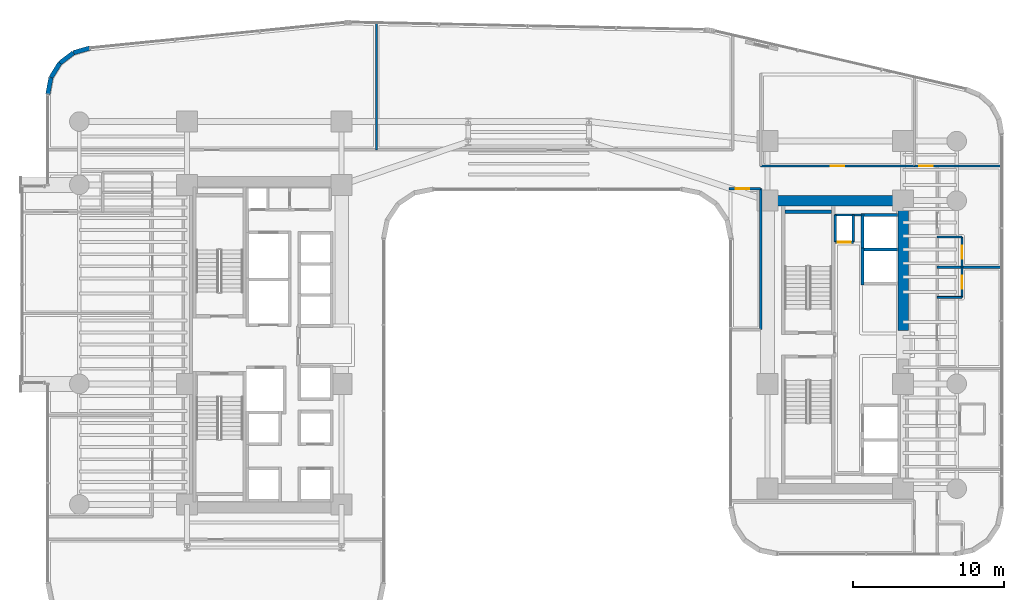
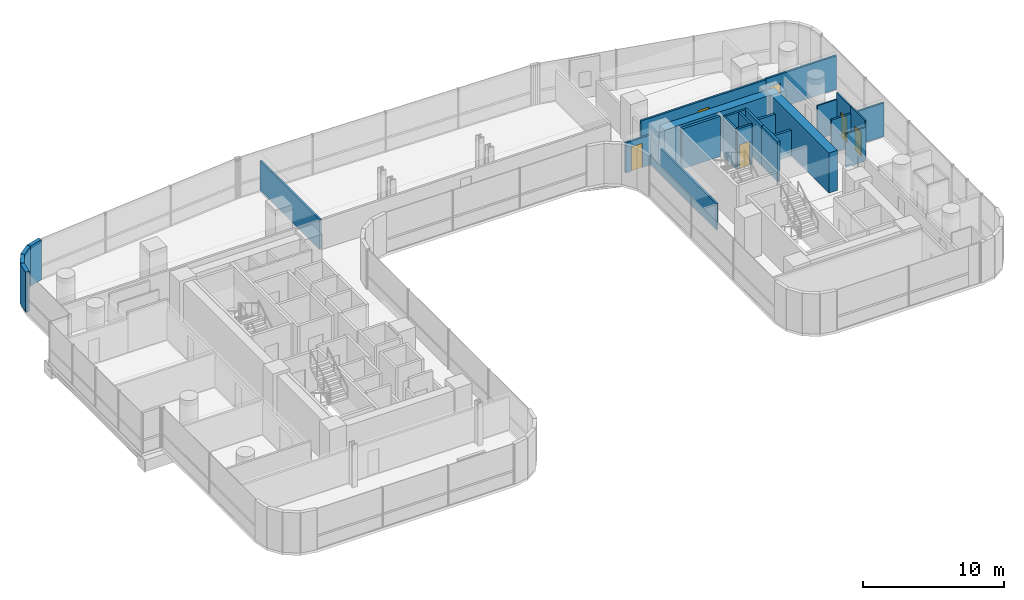
# One storey, part 32 of 39: 25 walls, 6 doors, 6 openings.
"""IFC4 building model written with IfcOpenShell, lengths in metres."""

from ifc_helpers import new_model, si_unit, direction, frame, frame_2d, origin, place, context, subcontext, project, spatial, rectangle, extrude, material, layer, layer_set, type_object, element, fill, save


model = new_model("IFC4")

# Units and contexts
model_context = context("Model", 3, precision=1e-05, world=origin(), true_north=direction((0.0, 1.0)))
body_context = subcontext(model_context, "Body", "Model", "MODEL_VIEW")
ifc_project = project(units=[si_unit("LENGTHUNIT", "METRE"), si_unit("AREAUNIT", "SQUARE_METRE"), si_unit("VOLUMEUNIT", "CUBIC_METRE"), si_unit("PLANEANGLEUNIT", "RADIAN"), si_unit("MASSUNIT", "GRAM", prefix="KILO")], contexts=[model_context])

# Site, building, storey
site_placement = place(None, origin())
site = spatial("IfcSite", under=ifc_project, at=site_placement, CompositionType="ELEMENT")
building_placement = place(site_placement, origin())
building = spatial("IfcBuilding", under=site, at=building_placement, Name="Valdorenza Pilgrim Sanctuary Tower", CompositionType="ELEMENT")
storey_placement = place(building_placement, frame((0.0, 0.0, 74.10009765625)))
storey = spatial("IfcBuildingStorey", under=building, at=storey_placement, Name="L18", CompositionType="ELEMENT", Elevation=74.10009765625)

# Wall, opening, door
ifc_material_1 = material(Name="Acoustic twin-stud gypsum partition", Category="gypsum")
ifc_layer_1 = layer(ifc_material_1, 0.159912109375, Name="Acoustic twin-stud gypsum partition")
ifc_layer_set_1 = layer_set([ifc_layer_1], Name="Acoustic twin-stud gypsum partition")
wall_type_1 = type_object("IfcWallType", Name="WAL-COR-160", PredefinedType="PARTITIONING", material=ifc_layer_set_1)
wall_1_placement = place(storey_placement, frame((20.35009765625, 6.800048828125, 0.0), z_axis=(0.0, 0.0, 1.0), x_axis=(1.0, 0.0, 0.0)))
wall_1 = element("IfcWall", 1, at=wall_1_placement, inside=storey, type_object=wall_type_1, Name="L18 Core B Riser South Wall", PredefinedType="PARTITIONING", context=body_context, shape_type="SweptSolid", body=[
    extrude(rectangle(XDim=1.199951171875, YDim=0.159912109375, at=frame_2d((0.60009765625, 0.0))), origin(), (0.0, 0.0, 1.0), 3.4599609375),
])
opening_1_placement = place(wall_1_placement, frame((0.175048828125, 0.0, 0.0)))
opening_1 = element("IfcOpeningElement", 2, at=opening_1_placement, cuts=wall_1, Name="Opening DR-RS1", PredefinedType="OPENING", context=body_context, shape_type="SweptSolid", body=[
    extrude(rectangle(XDim=0.85009765625, YDim=2.050048828125, at=frame_2d((0.425048828125, 1.02490234375))), frame((0.0, 0.0947265625, 0.0), z_axis=(0.0, -1.0, 0.0), x_axis=(1.0, 0.0, 0.0)), (0.0, 0.0, 1.0), 0.189697265625),
])
ifc_material_2 = material(Name="Painted galvanized steel", Category="steel")
door_type_1 = type_object("IfcDoorType", Name="DR-RSR-850", OperationType="NOTDEFINED", PredefinedType="DOOR", material=ifc_material_2)
door_1_placement = place(opening_1_placement, origin())
door_1 = element("IfcDoor", 3, at=door_1_placement, inside=storey, type_object=door_type_1, Name="L18 Core B Electrical Riser Door", OperationType="SINGLE_SWING_LEFT", OverallHeight=2.050048828125, OverallWidth=0.85009765625, PredefinedType="DOOR", context=body_context, shape_type="SweptSolid", body=[
    extrude(rectangle(XDim=0.85009765625, YDim=2.050048828125, at=frame_2d((0.425048828125, 1.02490234375))), frame((0.0, 0.02490234375, 0.0), z_axis=(0.0, -1.0, 0.0), x_axis=(1.0, 0.0, 0.0)), (0.0, 0.0, 1.0), 0.050048828125),
])
fill(opening_1, door_1)

# Walls
for number, where, z_axis, x_axis, name in (
    (4, (21.550048828125, 6.800048828125, 0.0), (0.0, 0.0, 1.0), (0.0, 1.0, 0.0), "L18 Core B Riser East Wall"),
    (5, (20.35009765625, 6.800048828125, 0.0), (0.0, 0.0, 1.0), (0.0, 1.0, 0.0), "L18 Core B Riser West Wall"),
):
    element("IfcWall", number, at=place(storey_placement, frame(where, z_axis=z_axis, x_axis=x_axis)), inside=storey, type_object=wall_type_1, Name=name, PredefinedType="PARTITIONING", context=body_context, shape_type="SweptSolid", body=[
        extrude(rectangle(XDim=1.800048828125, YDim=0.159912109375, at=frame_2d((0.89990234375, 0.0))), origin(), (0.0, 0.0, 1.0), 3.4599609375),
    ])
wall_2_placement = place(storey_placement, frame((20.300048828125, 8.60009765625, 0.0), z_axis=(0.0, 0.0, 1.0), x_axis=(1.0, 0.0, 0.0)))
element("IfcWall", 6, at=wall_2_placement, inside=storey, type_object=wall_type_1, Name="L18 Core B Lift Hall North End Wall", PredefinedType="PARTITIONING", context=body_context, shape_type="SweptSolid", body=[
    extrude(rectangle(XDim=1.820068359375, YDim=0.159912109375, at=frame_2d((0.91015625, 0.0))), origin(), (0.0, 0.0, 1.0), 3.4599609375),
])

# Wall, opening, door
wall_3_placement = place(storey_placement, frame((15.39990234375, 11.85009765625, 0.0), z_axis=(0.0, 0.0, 1.0), x_axis=(1.0, 0.0, 0.0)))
wall_3 = element("IfcWall", 7, at=wall_3_placement, inside=storey, type_object=wall_type_1, Name="L18 Wing B North Corridor Wall", PredefinedType="PARTITIONING", context=body_context, shape_type="SweptSolid", body=[
    extrude(rectangle(XDim=10.2001953125, YDim=0.159912109375, at=frame_2d((5.10009765625, 0.0))), origin(), (0.0, 0.0, 1.0), 2.833984375),
])
opening_2_placement = place(wall_3_placement, frame((4.64990234375, 0.0, 0.0)))
opening_2 = element("IfcOpeningElement", 8, at=opening_2_placement, cuts=wall_3, Name="Opening DR-RM1", PredefinedType="OPENING", context=body_context, shape_type="SweptSolid", body=[
    extrude(rectangle(XDim=0.89990234375, YDim=2.10009765625, at=frame_2d((0.449951171875, 1.050048828125))), frame((0.0, 0.0947265625, 0.0), z_axis=(0.0, -1.0, 0.0), x_axis=(1.0, 0.0, 0.0)), (0.0, 0.0, 1.0), 0.189697265625),
])
ifc_material_3 = material(Name="Solid-core European oak timber", Category="wood")
door_type_2 = type_object("IfcDoorType", Name="DR-ROOM-900", OperationType="NOTDEFINED", PredefinedType="DOOR", material=ifc_material_3)
door_2_placement = place(opening_2_placement, frame((0.89990234375, 0.0, 0.0), z_axis=(0.0, 0.0, 1.0), x_axis=(-1.0, 0.0, 0.0)))
door_2 = element("IfcDoor", 9, at=door_2_placement, inside=storey, type_object=door_type_2, Name="L18 Curator Research Office L18-BN1 Door", OperationType="SINGLE_SWING_LEFT", OverallHeight=2.10009765625, OverallWidth=0.89990234375, PredefinedType="DOOR", context=body_context, shape_type="SweptSolid", body=[
    extrude(rectangle(XDim=0.89990234375, YDim=2.10009765625, at=frame_2d((0.449951171875, 1.050048828125))), frame((0.0, 0.02490234375, 0.0), z_axis=(0.0, -1.0, 0.0), x_axis=(1.0, 0.0, 0.0)), (0.0, 0.0, 1.0), 0.050048828125),
])
fill(opening_2, door_2)

wall_4_placement = place(storey_placement, frame((25.60009765625, 11.85009765625, 0.0), z_axis=(0.0, 0.0, 1.0), x_axis=(1.0, 0.0, 0.0)))
wall_4 = element("IfcWall", 10, at=wall_4_placement, inside=storey, type_object=wall_type_1, Name="L18 East Wing NE Corner South Wall", PredefinedType="PARTITIONING", context=body_context, shape_type="SweptSolid", body=[
    extrude(rectangle(XDim=5.789794921875, YDim=0.159912109375, at=frame_2d((2.89501953125, 0.0))), origin(), (0.0, 0.0, 1.0), 2.89599609375),
])
opening_3_placement = place(wall_4_placement, frame((0.300048828125, 0.0, 0.0)))
opening_3 = element("IfcOpeningElement", 11, at=opening_3_placement, cuts=wall_4, Name="Opening DR-RM1", PredefinedType="OPENING", context=body_context, shape_type="SweptSolid", body=[
    extrude(rectangle(XDim=0.89990234375, YDim=2.10009765625, at=frame_2d((0.449951171875, 1.050048828125))), frame((0.0, 0.0947265625, 0.0), z_axis=(0.0, -1.0, 0.0), x_axis=(1.0, 0.0, 0.0)), (0.0, 0.0, 1.0), 0.189697265625),
])
door_3_placement = place(opening_3_placement, origin())
door_3 = element("IfcDoor", 12, at=door_3_placement, inside=storey, type_object=door_type_2, Name="L18 East North Alcove Office L18 Door", OperationType="SINGLE_SWING_LEFT", OverallHeight=2.10009765625, OverallWidth=0.89990234375, PredefinedType="DOOR", context=body_context, shape_type="SweptSolid", body=[
    extrude(rectangle(XDim=0.89990234375, YDim=2.10009765625, at=frame_2d((0.449951171875, 1.050048828125))), frame((0.0, 0.02490234375, 0.0), z_axis=(0.0, -1.0, 0.0), x_axis=(1.0, 0.0, 0.0)), (0.0, 0.0, 1.0), 0.050048828125),
])
fill(opening_3, door_3)

wall_5_placement = place(storey_placement, frame((13.300048828125, 10.35009765625, 0.0), z_axis=(0.0, 0.0, 1.0), x_axis=(1.0, 0.0, 0.0)))
wall_5 = element("IfcWall", 13, at=wall_5_placement, inside=storey, type_object=wall_type_1, Name="L18 Courtyard Overlook North Wall", PredefinedType="PARTITIONING", context=body_context, shape_type="SweptSolid", body=[
    extrude(rectangle(XDim=2.099853515625, YDim=0.159912109375, at=frame_2d((1.0498046875, 0.0))), origin(), (0.0, 0.0, 1.0), 2.5830078125),
])
opening_4_placement = place(wall_5_placement, frame((0.449951171875, 0.0, 0.0)))
opening_4 = element("IfcOpeningElement", 14, at=opening_4_placement, cuts=wall_5, Name="Opening DR-RM1", PredefinedType="OPENING", context=body_context, shape_type="SweptSolid", body=[
    extrude(rectangle(XDim=0.89990234375, YDim=2.10009765625, at=frame_2d((0.449951171875, 1.050048828125))), frame((0.0, 0.0947265625, 0.0), z_axis=(0.0, -1.0, 0.0), x_axis=(1.0, 0.0, 0.0)), (0.0, 0.0, 1.0), 0.189697265625),
])
door_4_placement = place(opening_4_placement, origin())
door_4 = element("IfcDoor", 15, at=door_4_placement, inside=storey, type_object=door_type_2, Name="L18 Courtyard Overlook Salon Door", OperationType="SINGLE_SWING_RIGHT", OverallHeight=2.10009765625, OverallWidth=0.89990234375, PredefinedType="DOOR", context=body_context, shape_type="SweptSolid", body=[
    extrude(rectangle(XDim=0.89990234375, YDim=2.10009765625, at=frame_2d((0.449951171875, 1.050048828125))), frame((0.0, 0.02490234375, 0.0), z_axis=(0.0, -1.0, 0.0), x_axis=(1.0, 0.0, 0.0)), (0.0, 0.0, 1.0), 0.050048828125),
])
fill(opening_4, door_4)

# Walls
wall_6_placement = place(storey_placement, frame((15.39990234375, 1.0, 0.0), z_axis=(0.0, 0.0, 1.0), x_axis=(0.0, 1.0, 0.0)))
element("IfcWall", 16, at=wall_6_placement, inside=storey, type_object=wall_type_1, Name="L18 Courtyard Overlook East Wall", PredefinedType="PARTITIONING", context=body_context, shape_type="SweptSolid", body=[
    extrude(rectangle(XDim=9.35009765625, YDim=0.159912109375, at=frame_2d((4.675048828125, 0.0))), origin(), (0.0, 0.0, 1.0), 2.244873046875),
])
ifc_material_4 = material(Name="Concrete C60/75", Category="concrete")
ifc_layer_2 = layer(ifc_material_4, 0.699951171875, Name="Concrete C60/75")
ifc_layer_set_2 = layer_set([ifc_layer_2], Name="Concrete C60/75")
wall_type_2 = type_object("IfcWallType", Name="WAL-COR-700", PredefinedType="SHEAR", material=ifc_layer_set_2)
wall_7_placement = place(storey_placement, frame((24.85009765625, 0.949951171875, 0.0), z_axis=(0.0, 0.0, 1.0), x_axis=(0.0, 1.0, 0.0)))
element("IfcWall", 17, at=wall_7_placement, inside=storey, type_object=wall_type_2, Name="L18 Split Core B Shear Wall EN", PredefinedType="SHEAR", context=body_context, shape_type="SweptSolid", body=[
    extrude(rectangle(XDim=8.949951171875, YDim=0.699951171875, at=frame_2d((4.47509765625, 0.0))), origin(), (0.0, 0.0, 1.0), 3.4599609375),
])
wall_8_placement = place(storey_placement, frame((15.85009765625, 9.550048828125, 0.0), z_axis=(0.0, 0.0, 1.0), x_axis=(1.0, 0.0, 0.0)))
element("IfcWall", 18, at=wall_8_placement, inside=storey, type_object=wall_type_2, Name="L18 Split Core B Shear Wall N", PredefinedType="SHEAR", context=body_context, shape_type="SweptSolid", body=[
    extrude(rectangle(XDim=9.0, YDim=0.699951171875, at=frame_2d((4.5, 0.0))), origin(), (0.0, 0.0, 1.0), 3.4599609375),
])
ifc_material_5 = material(Name="Honed travertine limestone", Category="masonry")
ifc_layer_3 = layer(ifc_material_5, 0.300048828125, Name="Honed travertine limestone")
ifc_layer_set_3 = layer_set([ifc_layer_3], Name="Honed travertine limestone")
wall_type_3 = type_object("IfcWallType", Name="WAL-EXT-300", PredefinedType="SOLIDWALL", material=ifc_layer_set_3)
wall_9_placement = place(storey_placement, frame((-31.889892578125, 16.593994140625, 0.0), z_axis=(0.0, 0.0, 1.0), x_axis=(0.182748995683, 0.9831596028, 0.0)))
element("IfcWall", 19, at=wall_9_placement, inside=storey, type_object=wall_type_3, Name="L18 Rounded Wind-Corner Stone Pier 2", PredefinedType="SOLIDWALL", context=body_context, shape_type="SweptSolid", body=[
    extrude(rectangle(XDim=1.1396484375, YDim=0.300048828125, at=frame_2d((0.56982421875, 0.0))), origin(), (0.0, 0.0, 1.0), 3.4599609375),
])
wall_10_placement = place(storey_placement, frame((-31.681640625, 17.71435546875, 0.0), z_axis=(0.0, 0.0, 1.0), x_axis=(0.524157723014, 0.8516212077, 0.0)))
element("IfcWall", 20, at=wall_10_placement, inside=storey, type_object=wall_type_3, Name="L18 Rounded Wind-Corner Stone Pier 3", PredefinedType="SOLIDWALL", context=body_context, shape_type="SweptSolid", body=[
    extrude(rectangle(XDim=1.12939453125, YDim=0.300048828125, at=frame_2d((0.564697265625, 0.0))), origin(), (0.0, 0.0, 1.0), 3.4599609375),
])
wall_11_placement = place(storey_placement, frame((-31.089599609375, 18.67626953125, 0.0), z_axis=(0.0, 0.0, 1.0), x_axis=(0.795253002434, 0.606277710393, 0.0)))
element("IfcWall", 21, at=wall_11_placement, inside=storey, type_object=wall_type_3, Name="L18 Rounded Wind-Corner Stone Pier 4", PredefinedType="SOLIDWALL", context=body_context, shape_type="SweptSolid", body=[
    extrude(rectangle(XDim=1.129150390625, YDim=0.300048828125, at=frame_2d((0.564453125, 0.0))), origin(), (0.0, 0.0, 1.0), 3.4599609375),
])
wall_12_placement = place(storey_placement, frame((-30.191650390625, 19.36083984375, 0.0), z_axis=(0.0, 0.0, 1.0), x_axis=(0.960071941549, 0.279753225271, 0.0)))
element("IfcWall", 22, at=wall_12_placement, inside=storey, type_object=wall_type_3, Name="L18 Rounded Wind-Corner Stone Pier 5", PredefinedType="SOLIDWALL", context=body_context, shape_type="SweptSolid", body=[
    extrude(rectangle(XDim=1.1396484375, YDim=0.300048828125, at=frame_2d((0.56982421875, 0.0))), origin(), (0.0, 0.0, 1.0), 3.4599609375),
])
ifc_material_6 = material(Name="Moisture-resistant gypsum partition", Category="gypsum")
ifc_layer_4 = layer(ifc_material_6, 0.1201171875, Name="Moisture-resistant gypsum partition")
ifc_layer_set_4 = layer_set([ifc_layer_4], Name="Moisture-resistant gypsum partition")
wall_type_4 = type_object("IfcWallType", Name="WAL-INT-120", PredefinedType="PARTITIONING", material=ifc_layer_set_4)
wall_13_placement = place(storey_placement, frame((27.10009765625, 3.137939453125, 0.0), z_axis=(0.0, 0.0, 1.0), x_axis=(1.0, 0.0, 0.0)))
element("IfcWall", 23, at=wall_13_placement, inside=storey, type_object=wall_type_4, Name="L18 East Sanctuary Guest Room L18-EG3 En-suite South Wall", PredefinedType="PARTITIONING", context=body_context, shape_type="SweptSolid", body=[
    extrude(rectangle(XDim=1.64990234375, YDim=0.1201171875, at=frame_2d((0.824951171875, 0.0))), origin(), (0.0, 0.0, 1.0), 2.89599609375),
])

# Wall, opening, door
wall_14_placement = place(storey_placement, frame((28.75, 3.137939453125, 0.0), z_axis=(0.0, 0.0, 1.0), x_axis=(0.0, 1.0, 0.0)))
wall_14 = element("IfcWall", 24, at=wall_14_placement, inside=storey, type_object=wall_type_4, Name="L18 East Sanctuary Guest Room L18-EG3 En-suite Door Wall", PredefinedType="PARTITIONING", context=body_context, shape_type="SweptSolid", body=[
    extrude(rectangle(XDim=2.0, YDim=0.1201171875, at=frame_2d((1.0, 0.0))), origin(), (0.0, 0.0, 1.0), 3.4599609375),
])
opening_5_placement = place(wall_14_placement, frame((0.574951171875, 0.0, 0.0)))
opening_5 = element("IfcOpeningElement", 25, at=opening_5_placement, cuts=wall_14, Name="Opening DR-WC1", PredefinedType="OPENING", context=body_context, shape_type="SweptSolid", body=[
    extrude(rectangle(XDim=0.85009765625, YDim=2.10009765625, at=frame_2d((0.425048828125, 1.050048828125))), frame((0.0, 0.074951171875, 0.0), z_axis=(0.0, -1.0, 0.0), x_axis=(1.0, 0.0, 0.0)), (0.0, 0.0, 1.0), 0.14990234375),
])
ifc_material_7 = material(Name="Moisture-resistant lacquered timber", Category="wood")
door_type_3 = type_object("IfcDoorType", Name="DR-BATH-850", OperationType="NOTDEFINED", PredefinedType="DOOR", material=ifc_material_7)
door_5_placement = place(opening_5_placement, origin())
door_5 = element("IfcDoor", 26, at=door_5_placement, inside=storey, type_object=door_type_3, Name="L18 East Sanctuary Guest Room L18-EG3 En-suite Bathroom Door", OperationType="SINGLE_SWING_LEFT", OverallHeight=2.10009765625, OverallWidth=0.85009765625, PredefinedType="DOOR", context=body_context, shape_type="SweptSolid", body=[
    extrude(rectangle(XDim=0.85009765625, YDim=2.10009765625, at=frame_2d((0.425048828125, 1.050048828125))), frame((0.0, 0.02490234375, 0.0), z_axis=(0.0, -1.0, 0.0), x_axis=(1.0, 0.0, 0.0)), (0.0, 0.0, 1.0), 0.050048828125),
])
fill(opening_5, door_5)

# Wall
wall_15_placement = place(storey_placement, frame((27.10009765625, 7.137939453125, 0.0), z_axis=(0.0, 0.0, 1.0), x_axis=(1.0, 0.0, 0.0)))
element("IfcWall", 27, at=wall_15_placement, inside=storey, type_object=wall_type_4, Name="L18 East Sanctuary Guest Room L18-EG4 En-suite North Wall", PredefinedType="PARTITIONING", context=body_context, shape_type="SweptSolid", body=[
    extrude(rectangle(XDim=1.64990234375, YDim=0.1201171875, at=frame_2d((0.824951171875, 0.0))), origin(), (0.0, 0.0, 1.0), 2.89599609375),
])

# Wall, opening, door
wall_16_placement = place(storey_placement, frame((28.75, 5.137939453125, 0.0), z_axis=(0.0, 0.0, 1.0), x_axis=(0.0, 1.0, 0.0)))
wall_16 = element("IfcWall", 28, at=wall_16_placement, inside=storey, type_object=wall_type_4, Name="L18 East Sanctuary Guest Room L18-EG4 En-suite Door Wall", PredefinedType="PARTITIONING", context=body_context, shape_type="SweptSolid", body=[
    extrude(rectangle(XDim=2.0, YDim=0.1201171875, at=frame_2d((1.0, 0.0))), origin(), (0.0, 0.0, 1.0), 3.4599609375),
])
opening_6_placement = place(wall_16_placement, frame((0.574951171875, 0.0, 0.0)))
opening_6 = element("IfcOpeningElement", 29, at=opening_6_placement, cuts=wall_16, Name="Opening DR-WC1", PredefinedType="OPENING", context=body_context, shape_type="SweptSolid", body=[
    extrude(rectangle(XDim=0.85009765625, YDim=2.10009765625, at=frame_2d((0.425048828125, 1.050048828125))), frame((0.0, 0.074951171875, 0.0), z_axis=(0.0, -1.0, 0.0), x_axis=(1.0, 0.0, 0.0)), (0.0, 0.0, 1.0), 0.14990234375),
])
door_6_placement = place(opening_6_placement, origin())
door_6 = element("IfcDoor", 30, at=door_6_placement, inside=storey, type_object=door_type_3, Name="L18 East Sanctuary Guest Room L18-EG4 En-suite Bathroom Door", OperationType="SINGLE_SWING_LEFT", OverallHeight=2.10009765625, OverallWidth=0.85009765625, PredefinedType="DOOR", context=body_context, shape_type="SweptSolid", body=[
    extrude(rectangle(XDim=0.85009765625, YDim=2.10009765625, at=frame_2d((0.425048828125, 1.050048828125))), frame((0.0, 0.02490234375, 0.0), z_axis=(0.0, -1.0, 0.0), x_axis=(1.0, 0.0, 0.0)), (0.0, 0.0, 1.0), 0.050048828125),
])
fill(opening_6, door_6)

# Walls
ifc_material_8 = material(Name="Autoclaved aerated concrete blockwork", Category="masonry")
ifc_layer_5 = layer(ifc_material_8, 0.199951171875, Name="Autoclaved aerated concrete blockwork")
ifc_layer_set_5 = layer_set([ifc_layer_5], Name="Autoclaved aerated concrete blockwork")
wall_type_5 = type_object("IfcWallType", Name="WAL-SHF-200", PredefinedType="MOVABLE", material=ifc_layer_set_5)
wall_17_placement = place(storey_placement, frame((22.14990234375, 3.949951171875, 0.0), z_axis=(0.0, 0.0, 1.0), x_axis=(0.0, 1.0, 0.0)))
element("IfcWall", 31, at=wall_17_placement, inside=storey, type_object=wall_type_5, Name="L18 Lift PL-07 Hoistway Wall West", PredefinedType="MOVABLE", context=body_context, shape_type="SweptSolid", body=[
    extrude(rectangle(XDim=2.47509765625, YDim=0.199951171875, at=frame_2d((1.237548828125, 0.0))), origin(), (0.0, 0.0, 1.0), 3.4599609375),
])
wall_18_placement = place(storey_placement, frame((22.25, 6.324951171875, 0.0), z_axis=(0.0, 0.0, 1.0), x_axis=(1.0, 0.0, 0.0)))
element("IfcWall", 32, at=wall_18_placement, inside=storey, type_object=wall_type_5, Name="L18 Lift PL-07 Hoistway Wall North", PredefinedType="MOVABLE", context=body_context, shape_type="SweptSolid", body=[
    extrude(rectangle(XDim=2.22998046875, YDim=0.199951171875, at=frame_2d((1.114990234375, 0.0))), origin(), (0.0, 0.0, 1.0), 2.244873046875),
])
wall_19_placement = place(storey_placement, frame((22.14990234375, 6.22509765625, 0.0), z_axis=(0.0, 0.0, 1.0), x_axis=(0.0, 1.0, 0.0)))
element("IfcWall", 33, at=wall_19_placement, inside=storey, type_object=wall_type_5, Name="L18 Lift PL-08 Hoistway Wall West", PredefinedType="MOVABLE", context=body_context, shape_type="SweptSolid", body=[
    extrude(rectangle(XDim=2.474853515625, YDim=0.199951171875, at=frame_2d((1.2373046875, 0.0))), origin(), (0.0, 0.0, 1.0), 3.4599609375),
])
wall_20_placement = place(storey_placement, frame((22.25, 8.60009765625, 0.0), z_axis=(0.0, 0.0, 1.0), x_axis=(1.0, 0.0, 0.0)))
element("IfcWall", 34, at=wall_20_placement, inside=storey, type_object=wall_type_5, Name="L18 Lift PL-08 Hoistway Wall North", PredefinedType="MOVABLE", context=body_context, shape_type="SweptSolid", body=[
    extrude(rectangle(XDim=2.22998046875, YDim=0.199951171875, at=frame_2d((1.114990234375, 0.0))), origin(), (0.0, 0.0, 1.0), 2.244873046875),
])
ifc_material_9 = material(Name="Concrete C40/50", Category="concrete")
ifc_layer_6 = layer(ifc_material_9, 0.219970703125, Name="Concrete C40/50")
ifc_layer_set_6 = layer_set([ifc_layer_6], Name="Concrete C40/50")
wall_type_6 = type_object("IfcWallType", Name="WAL-STR-SHF-220", PredefinedType="SHEAR", material=ifc_layer_set_6)
wall_21_placement = place(storey_placement, frame((17.0, 8.81005859375, 0.0), z_axis=(0.0, 0.0, 1.0), x_axis=(1.0, 0.0, 0.0)))
element("IfcWall", 35, at=wall_21_placement, inside=storey, type_object=wall_type_6, Name="L18 ST-B1 Structural Stairwell Wall N", PredefinedType="SHEAR", context=body_context, shape_type="SweptSolid", body=[
    extrude(rectangle(XDim=3.110107421875, YDim=0.219970703125, at=frame_2d((1.55517578125, 0.0))), origin(), (0.0, 0.0, 1.0), 3.4599609375),
])
ifc_layer_7 = layer(ifc_material_1, 0.14990234375, Name="Acoustic twin-stud gypsum partition")
ifc_layer_set_7 = layer_set([ifc_layer_7], Name="Acoustic twin-stud gypsum partition")
wall_type_7 = type_object("IfcWallType", Name="WAL-UNT-150", PredefinedType="PARTITIONING", material=ifc_layer_set_7)
wall_22_placement = place(storey_placement, frame((-10.094970703125, 12.919921875, 0.0), z_axis=(0.0, 0.0, 1.0), x_axis=(0.0, 1.0, 0.0)))
element("IfcWall", 36, at=wall_22_placement, inside=storey, type_object=wall_type_7, Name="L18 Private Banquet Dining Room L18-N2 Demising Wall", PredefinedType="PARTITIONING", context=body_context, shape_type="SweptSolid", body=[
    extrude(rectangle(XDim=8.430419921875, YDim=0.14990234375, at=frame_2d((4.21533203125, 0.0))), origin(), (0.0, 0.0, 1.0), 2.5830078125),
])
wall_23_placement = place(storey_placement, frame((27.10009765625, 5.137939453125, 0.0), z_axis=(0.0, 0.0, 1.0), x_axis=(1.0, 0.0, 0.0)))
element("IfcWall", 37, at=wall_23_placement, inside=storey, type_object=wall_type_7, Name="L18 East Wing Guest Demising 3", PredefinedType="PARTITIONING", context=body_context, shape_type="SweptSolid", body=[
    extrude(rectangle(XDim=4.289794921875, YDim=0.14990234375, at=frame_2d((2.14501953125, 0.0))), origin(), (0.0, 0.0, 1.0), 2.89599609375),
])

save(model, "model.ifc")
